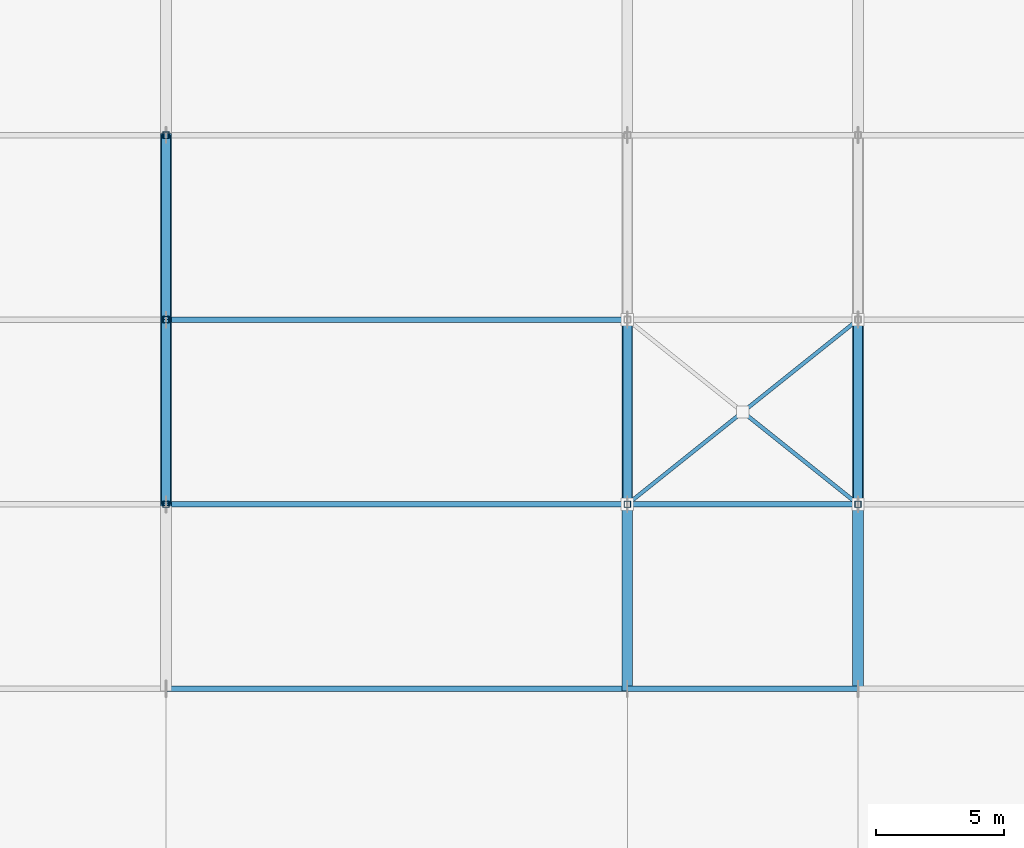
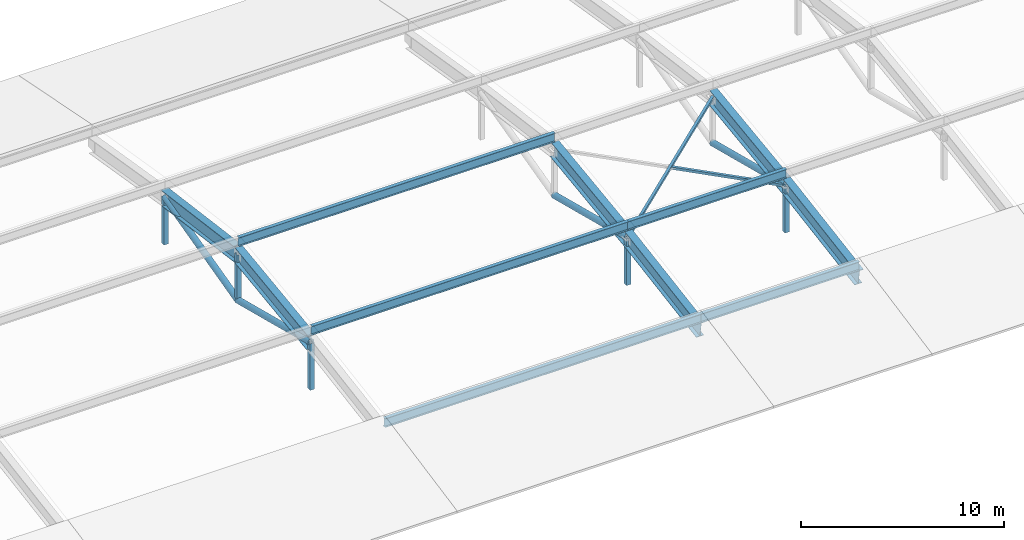
# One storey, part 11 of 78: 22 members.
"""IFC4 building model written with IfcOpenShell, lengths in metres."""

from ifc_helpers import new_model, si_unit, direction, frame, origin, origin_2d, place, context, subcontext, project, spatial, hollow_rectangle, hollow_circle, i_section, extrude, material, material_profile, profile_set, type_object, element, save


model = new_model("IFC4")

# Units and contexts
model_context = context("Model", 3, precision=1e-05, world=origin(), true_north=direction((0.0, 1.0)))
body_context = subcontext(model_context, "Body", "Model", "MODEL_VIEW")
ifc_project = project(units=[si_unit("LENGTHUNIT", "METRE"), si_unit("AREAUNIT", "SQUARE_METRE"), si_unit("VOLUMEUNIT", "CUBIC_METRE"), si_unit("PLANEANGLEUNIT", "RADIAN"), si_unit("MASSUNIT", "GRAM", prefix="KILO")], contexts=[model_context])

# Site, building, storey
site_placement = place(None, origin())
site = spatial("IfcSite", under=ifc_project, at=site_placement, CompositionType="ELEMENT")
building_placement = place(site_placement, origin())
building = spatial("IfcBuilding", under=site, at=building_placement, Name="Celestram Park Convention Centre", CompositionType="ELEMENT")
storey_placement = place(building_placement, frame((0.0, 0.0, 19.800048828125)))
storey = spatial("IfcBuildingStorey", under=building, at=storey_placement, Name="L04", CompositionType="ELEMENT", Elevation=19.800048828125)

# Members
ifc_material_1 = material(Name="Steel ASTM A500 Grade C", Category="steel")
ifc_material_profile_1 = material_profile(ifc_material_1, hollow_circle(Radius=0.177978515625, WallThickness=0.011962890625, at=origin_2d()), Name="CHS356X12")
ifc_profile_set_1 = profile_set([ifc_material_profile_1], Name="Steel ASTM A500 Grade C")
member_type_1 = type_object("IfcMemberType", Name="STR-BRC-CHS356", PredefinedType="BRACE", material=ifc_profile_set_1)
for number, where, z_axis, x_axis, name in (
    (1, (36.0, 57.60009765625, 1.670166015625), (0.0, 0.968804355336, -0.247826796536), (-1.0, 0.0, 0.0), "V1 arch web diagonal"),
    (2, (36.0, 64.800048828125, -0.171630859375), (0.0, 0.968804355336, 0.247826796536), (-1.0, 0.0, 0.0), "V1 arch web diagonal"),
    (3, (54.0, 57.60009765625, 1.670166015625), (0.0, 0.968804355336, -0.247826796536), (-1.0, 0.0, 0.0), "V1 arch web diagonal"),
    (4, (63.0, 57.60009765625, 1.670166015625), (0.0, 0.968804355336, -0.247826796536), (-1.0, 0.0, 0.0), "V1 arch web diagonal"),
):
    element("IfcMember", number, at=place(storey_placement, frame(where, z_axis=z_axis, x_axis=x_axis)), inside=storey, type_object=member_type_1, Name=name, PredefinedType="BRACE", context=body_context, shape_type="SweptSolid", body=[
        extrude(hollow_circle(Radius=0.177978515625, WallThickness=0.011962890625, at=origin_2d()), origin(), (0.0, 0.0, 1.0), 7.431884765625),
    ])
ifc_material_profile_2 = material_profile(ifc_material_1, hollow_rectangle(XDim=0.14990234375, YDim=0.14990234375, WallThickness=0.008056640625, at=origin_2d()), Name="HSS150X150X8")
ifc_profile_set_2 = profile_set([ifc_material_profile_2], Name="Steel ASTM A500 Grade C")
member_type_2 = type_object("IfcMemberType", Name="STR-BRC-HSS150", PredefinedType="BRACE", material=ifc_profile_set_2)
member_1_placement = place(storey_placement, frame((54.0, 57.60009765625, 1.6416015625), z_axis=(0.778185917035, 0.622544511699, 0.082855352766), x_axis=(-0.624692464322, 0.780870876022, 0.0)))
element("IfcMember", 5, at=member_1_placement, inside=storey, type_object=member_type_2, Name="Roof lateral continuous wind X-brace", PredefinedType="BRACE", context=body_context, shape_type="SweptSolid", body=[
    extrude(hollow_rectangle(XDim=0.14990234375, YDim=0.14990234375, WallThickness=0.008056640625, at=origin_2d()), origin(), (0.0, 0.0, 1.0), 11.5654296875),
])
member_2_placement = place(storey_placement, frame((63.0, 57.60009765625, 1.6416015625), z_axis=(-0.778178741819, 0.622551563233, 0.082869758641), x_axis=(-0.624700291051, -0.780864614617, 0.0)))
element("IfcMember", 6, at=member_2_placement, inside=storey, type_object=member_type_2, Name="Roof lateral split wind X-brace lower half", PredefinedType="BRACE", context=body_context, shape_type="SweptSolid", body=[
    extrude(hollow_rectangle(XDim=0.14990234375, YDim=0.14990234375, WallThickness=0.008056640625, at=origin_2d()), origin(), (0.0, 0.0, 1.0), 5.69775390625),
])
ifc_material_2 = material(Name="Steel ASTM A992 Grade 50", Category="steel")
ifc_material_profile_3 = material_profile(ifc_material_2, i_section(OverallWidth=0.4189453125, OverallDepth=0.927001953125, WebThickness=0.019287109375, FlangeThickness=0.031982421875, at=origin_2d()), Name="W36X231")
ifc_profile_set_3 = profile_set([ifc_material_profile_3], Name="Steel ASTM A992 Grade 50")
member_type_3 = type_object("IfcMemberType", Name="STR-CHD-W36X231", PredefinedType="CHORD", material=ifc_profile_set_3)
for number, where, z_axis, x_axis, name in (
    (7, (36.0, 57.60009765625, 1.670166015625), (0.0, 0.991259283276, 0.131928136952), (-1.0, 0.0, 0.0), "V1 arch top chord"),
    (8, (36.0, 64.800048828125, 2.62841796875), (0.0, 0.991259283276, -0.131928136952), (-1.0, 0.0, 0.0), "V1 arch top chord"),
):
    element("IfcMember", number, at=place(storey_placement, frame(where, z_axis=z_axis, x_axis=x_axis)), inside=storey, type_object=member_type_3, Name=name, PredefinedType="CHORD", context=body_context, shape_type="SweptSolid", body=[
        extrude(i_section(OverallWidth=0.4189453125, OverallDepth=0.927001953125, WebThickness=0.019287109375, FlangeThickness=0.031982421875, at=origin_2d()), origin(), (0.0, 0.0, 1.0), 7.263427734375),
    ])
member_3_placement = place(storey_placement, frame((54.0, 50.39990234375, 0.481689453125), z_axis=(0.0, 0.986649508872, 0.162858056734), x_axis=(-1.0, 0.0, 0.0)))
element("IfcMember", 9, at=member_3_placement, inside=storey, type_object=member_type_3, Name="V1 arch top chord", PredefinedType="CHORD", context=body_context, shape_type="SweptSolid", body=[
    extrude(i_section(OverallWidth=0.4189453125, OverallDepth=0.927001953125, WebThickness=0.019287109375, FlangeThickness=0.031982421875, at=origin_2d()), origin(), (0.0, 0.0, 1.0), 7.297607421875),
])
member_4_placement = place(storey_placement, frame((54.0, 57.60009765625, 1.670166015625), z_axis=(0.0, 0.991259283276, 0.131928136952), x_axis=(-1.0, 0.0, 0.0)))
element("IfcMember", 10, at=member_4_placement, inside=storey, type_object=member_type_3, Name="V1 arch top chord", PredefinedType="CHORD", context=body_context, shape_type="SweptSolid", body=[
    extrude(i_section(OverallWidth=0.4189453125, OverallDepth=0.927001953125, WebThickness=0.019287109375, FlangeThickness=0.031982421875, at=origin_2d()), origin(), (0.0, 0.0, 1.0), 7.263427734375),
])
member_5_placement = place(storey_placement, frame((63.0, 50.39990234375, 0.481689453125), z_axis=(0.0, 0.986649508872, 0.162858056734), x_axis=(-1.0, 0.0, 0.0)))
element("IfcMember", 11, at=member_5_placement, inside=storey, type_object=member_type_3, Name="V1 arch top chord", PredefinedType="CHORD", context=body_context, shape_type="SweptSolid", body=[
    extrude(i_section(OverallWidth=0.4189453125, OverallDepth=0.927001953125, WebThickness=0.019287109375, FlangeThickness=0.031982421875, at=origin_2d()), origin(), (0.0, 0.0, 1.0), 7.297607421875),
])
member_6_placement = place(storey_placement, frame((63.0, 57.60009765625, 1.670166015625), z_axis=(0.0, 0.991259283276, 0.131928136952), x_axis=(-1.0, 0.0, 0.0)))
element("IfcMember", 12, at=member_6_placement, inside=storey, type_object=member_type_3, Name="V1 arch top chord", PredefinedType="CHORD", context=body_context, shape_type="SweptSolid", body=[
    extrude(i_section(OverallWidth=0.4189453125, OverallDepth=0.927001953125, WebThickness=0.019287109375, FlangeThickness=0.031982421875, at=origin_2d()), origin(), (0.0, 0.0, 1.0), 7.263427734375),
])
ifc_material_profile_4 = material_profile(ifc_material_2, i_section(OverallWidth=0.2099609375, OverallDepth=0.532958984375, WebThickness=0.01025390625, FlangeThickness=0.015625, at=origin_2d()), Name="W21X62")
ifc_profile_set_4 = profile_set([ifc_material_profile_4], Name="Steel ASTM A992 Grade 50")
member_type_4 = type_object("IfcMemberType", Name="STR-RFT-W21X62", PredefinedType="RAFTER", material=ifc_profile_set_4)
for number, where, z_axis, x_axis, name in (
    (13, (36.0, 50.39990234375, 1.211669921875), (1.0, 0.0, 0.0), (0.0, 1.0, 0.0), "V1 roof purlin"),
    (14, (36.0, 57.60009765625, 2.400146484375), (1.0, 0.0, 0.0), (0.0, 1.0, 0.0), "V1 roof purlin"),
    (15, (36.0, 64.800048828125, 3.3583984375), (1.0, 0.0, 0.0), (0.0, 1.0, 0.0), "V1 roof purlin"),
):
    element("IfcMember", number, at=place(storey_placement, frame(where, z_axis=z_axis, x_axis=x_axis)), inside=storey, type_object=member_type_4, Name=name, PredefinedType="RAFTER", context=body_context, shape_type="SweptSolid", body=[
        extrude(i_section(OverallWidth=0.2099609375, OverallDepth=0.532958984375, WebThickness=0.01025390625, FlangeThickness=0.015625, at=origin_2d()), origin(), (0.0, 0.0, 1.0), 18.0),
    ])
for number, where, z_axis, x_axis, name in (
    (16, (54.0, 50.39990234375, 1.211669921875), (1.0, 0.0, 0.0), (0.0, 1.0, 0.0), "V1 roof purlin"),
    (17, (54.0, 57.60009765625, 2.400146484375), (1.0, 0.0, 0.0), (0.0, 1.0, 0.0), "V1 roof purlin"),
):
    element("IfcMember", number, at=place(storey_placement, frame(where, z_axis=z_axis, x_axis=x_axis)), inside=storey, type_object=member_type_4, Name=name, PredefinedType="RAFTER", context=body_context, shape_type="SweptSolid", body=[
        extrude(i_section(OverallWidth=0.2099609375, OverallDepth=0.532958984375, WebThickness=0.01025390625, FlangeThickness=0.015625, at=origin_2d()), origin(), (0.0, 0.0, 1.0), 9.0),
    ])
ifc_material_profile_5 = material_profile(ifc_material_1, hollow_rectangle(XDim=0.25, YDim=0.25, WallThickness=0.011962890625, at=origin_2d()), Name="HSS250X250X12")
ifc_profile_set_5 = profile_set([ifc_material_profile_5], Name="Steel ASTM A500 Grade C")
member_type_5 = type_object("IfcMemberType", Name="STR-STR-HSS250", PredefinedType="STRUT", material=ifc_profile_set_5)
for number, where, z_axis, x_axis, name in (
    (18, (36.0, 57.60009765625, -1.1298828125), (0.0, 0.0, 1.0), (1.0, 0.0, 0.0), "V1 arch vertical strut"),
    (19, (36.0, 64.800048828125, -0.171630859375), (0.0, 0.0, 1.0), (1.0, 0.0, 0.0), "V1 arch vertical strut"),
    (20, (36.0, 72.0, -1.1298828125), (0.0, 0.0, 1.0), (1.0, 0.0, 0.0), "V1 arch vertical strut"),
    (21, (54.0, 57.60009765625, -1.1298828125), (0.0, 0.0, 1.0), (1.0, 0.0, 0.0), "V1 arch vertical strut"),
    (22, (63.0, 57.60009765625, -1.1298828125), (0.0, 0.0, 1.0), (1.0, 0.0, 0.0), "V1 arch vertical strut"),
):
    element("IfcMember", number, at=place(storey_placement, frame(where, z_axis=z_axis, x_axis=x_axis)), inside=storey, type_object=member_type_5, Name=name, PredefinedType="STRUT", context=body_context, shape_type="SweptSolid", body=[
        extrude(hollow_rectangle(XDim=0.25, YDim=0.25, WallThickness=0.011962890625, at=origin_2d()), origin(), (0.0, 0.0, 1.0), 2.800048828125),
    ])

save(model, "model.ifc")
